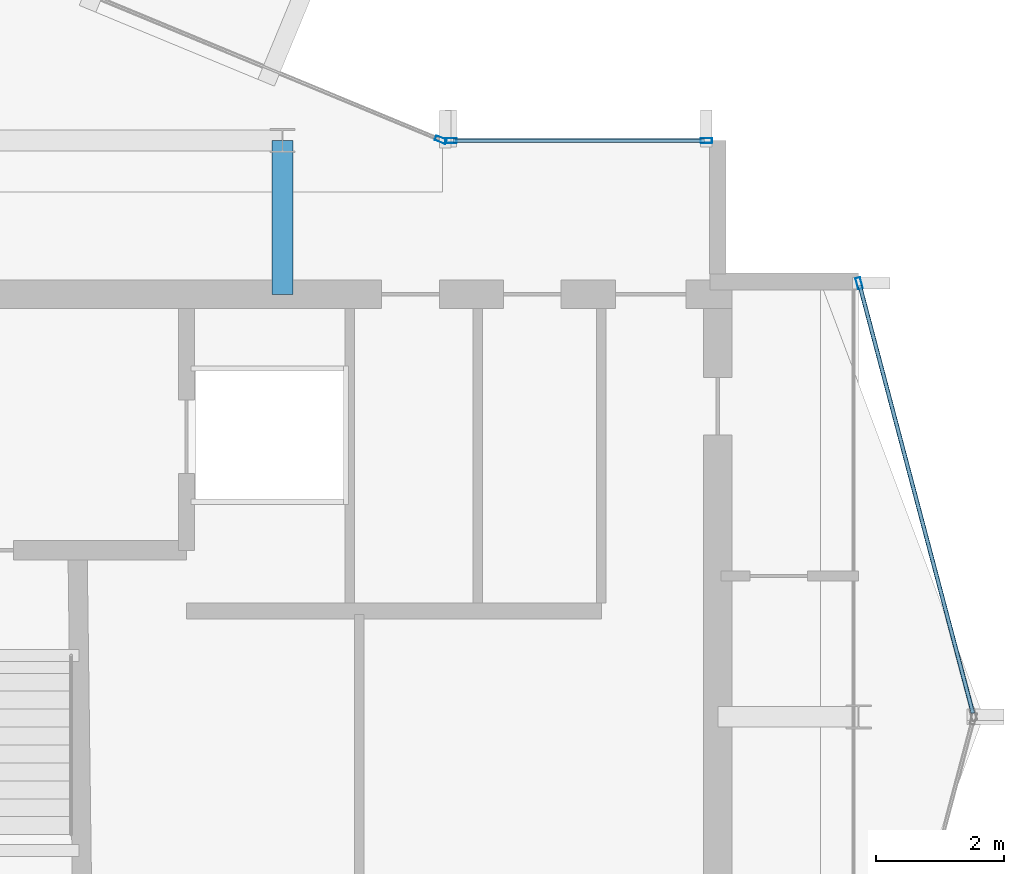
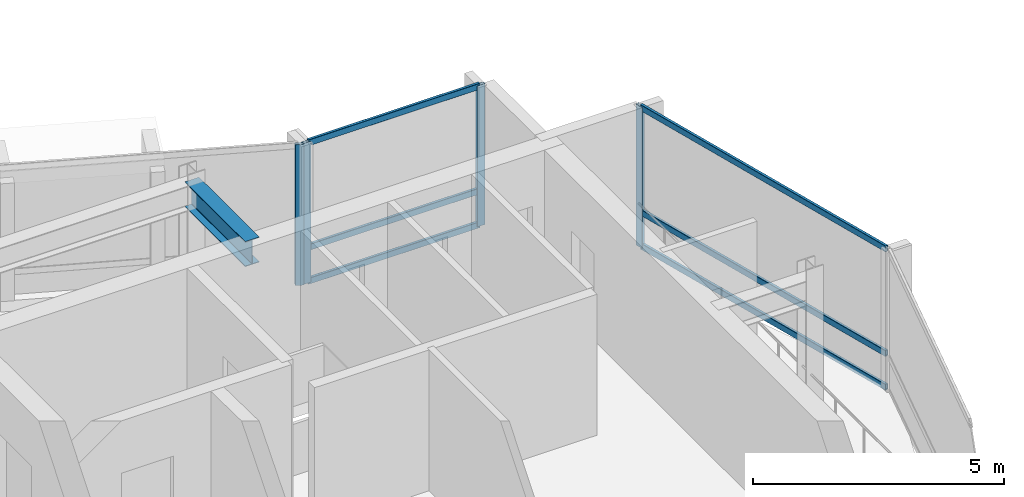
# One storey, part 10 of 19: 10 members, 1 beam, 3 elements without a shape of their own.
"""IFC4 building model written with IfcOpenShell, lengths in metres."""

from ifc_helpers import new_model, si_unit, direction, frame, origin, origin_2d, place, context, subcontext, project, spatial, hollow_rectangle, i_section, extrude, material, layer, layer_set, material_profile, profile_set, type_object, element, aggregate, save


model = new_model("IFC4")

# Units and contexts
model_context = context("Model", 3, precision=1e-05, world=origin(), true_north=direction((0.0, 1.0)))
body_context = subcontext(model_context, "Body", "Model", "MODEL_VIEW")
ifc_project = project(units=[si_unit("LENGTHUNIT", "METRE"), si_unit("AREAUNIT", "SQUARE_METRE"), si_unit("VOLUMEUNIT", "CUBIC_METRE"), si_unit("PLANEANGLEUNIT", "RADIAN"), si_unit("MASSUNIT", "GRAM", prefix="KILO")], contexts=[model_context])

# Site, building, storey
site_placement = place(None, origin())
site = spatial("IfcSite", under=ifc_project, at=site_placement, CompositionType="ELEMENT")
building_placement = place(site_placement, origin())
building = spatial("IfcBuilding", under=site, at=building_placement, Name="Solvaryn Broadcast Tower", CompositionType="ELEMENT")
storey_placement = place(building_placement, frame((0.0, 0.0, 277.800048828125)))
storey = spatial("IfcBuildingStorey", under=building, at=storey_placement, Name="L70", CompositionType="ELEMENT", Elevation=277.800048828125)

# Beam
ifc_material_1 = material(Name="Steel ASTM A992 Grade 50", Category="steel")
ifc_material_profile_1 = material_profile(ifc_material_1, i_section(OverallWidth=0.323974609375, OverallDepth=0.611083984375, WebThickness=0.0126953125, FlangeThickness=0.01904296875, FilletRadius=0.014892578125, at=origin_2d()))
ifc_profile_set_1 = profile_set([ifc_material_profile_1], Name="Steel ASTM A992 Grade 50")
beam_type = type_object("IfcBeamType", Name="BM-B1-W24X104", PredefinedType="BEAM", material=ifc_profile_set_1)
beam_placement = place(storey_placement, frame((36.0, 24.60009765625, 3.114501953125), z_axis=(0.0, 1.0, 0.0), x_axis=(-1.0, 0.0, 0.0)))
element("IfcBeam", 1, at=beam_placement, inside=storey, type_object=beam_type, Name="L70 Core Tie Beam CTE2", PredefinedType="BEAM", context=body_context, shape_type="SweptSolid", body=[
    extrude(i_section(OverallWidth=0.323974609375, OverallDepth=0.611083984375, WebThickness=0.0126953125, FlangeThickness=0.01904296875, FilletRadius=0.014892578125, at=origin_2d()), origin(), (0.0, 0.0, 1.0), 2.39990234375),
])

# Curtain wall, member
ifc_material_2 = material(Name="Aluminium and Terracotta Unitised Curtain Wall", Category="masonry")
ifc_layer = layer(ifc_material_2, 0.199951171875)
ifc_layer_set = layer_set([ifc_layer], Name="CW-SYS2-LOWMID")
curtain_wall_type = type_object("IfcCurtainWallType", Name="CW-SYS2-LOWMID", PredefinedType="NOTDEFINED", material=ifc_layer_set)
curtain_wall_1_placement = place(storey_placement, origin())
curtain_wall_1 = element("IfcCurtainWall", 2, at=curtain_wall_1_placement, inside=storey, type_object=curtain_wall_type, Name="L70 Curtain Wall CN1", PredefinedType="NOTDEFINED")
ifc_material_3 = material(Name="Anodised Aluminium 6063-T6", Category="aluminium")
ifc_material_profile_2 = material_profile(ifc_material_3, hollow_rectangle(XDim=0.074951171875, YDim=0.179931640625, WallThickness=0.00390625, InnerFilletRadius=0.00390625, OuterFilletRadius=0.008056640625, at=origin_2d()))
ifc_profile_set_2 = profile_set([ifc_material_profile_2], Name="Anodised Aluminium 6063-T6")
member_type_1 = type_object("IfcMemberType", Name="CW-MUL-180", PredefinedType="MULLION", material=ifc_profile_set_2)
member_1_placement = place(storey_placement, frame((38.47216796875, 27.011474609375, 0.0), z_axis=(0.0, 0.0, 1.0), x_axis=(-0.382646127145, -0.923894983957, 0.0)))
member_1 = element("IfcMember", 3, at=member_1_placement, type_object=member_type_1, Name="CWS2 mullion 1", PredefinedType="MULLION", context=body_context, shape_type="SweptSolid", body=[
    extrude(hollow_rectangle(XDim=0.074951171875, YDim=0.179931640625, WallThickness=0.00390625, InnerFilletRadius=0.00390625, OuterFilletRadius=0.008056640625, at=origin_2d()), origin(), (0.0, 0.0, 1.0), 3.419921875),
])
aggregate(curtain_wall_1, [member_1])

curtain_wall_2_placement = place(storey_placement, origin())
curtain_wall_2 = element("IfcCurtainWall", 4, at=curtain_wall_2_placement, inside=storey, type_object=curtain_wall_type, Name="L70 Curtain Wall ET1", PredefinedType="NOTDEFINED")
member_2_placement = place(storey_placement, frame((45.007568359375, 24.77099609375, 0.0), z_axis=(0.0, 0.0, 1.0), x_axis=(0.966705227863, 0.25589256031, 0.0)))
member_2 = element("IfcMember", 5, at=member_2_placement, type_object=member_type_1, Name="CWS2 mullion 1", PredefinedType="MULLION", context=body_context, shape_type="SweptSolid", body=[
    extrude(hollow_rectangle(XDim=0.074951171875, YDim=0.179931640625, WallThickness=0.00390625, InnerFilletRadius=0.00390625, OuterFilletRadius=0.008056640625, at=origin_2d()), origin(), (0.0, 0.0, 1.0), 3.419921875),
])

# Curtain wall, members
curtain_wall_3_placement = place(storey_placement, origin())
curtain_wall_3 = element("IfcCurtainWall", 6, at=curtain_wall_3_placement, inside=storey, type_object=curtain_wall_type, Name="L70 Curtain Wall IH", PredefinedType="NOTDEFINED")
member_3_placement = place(storey_placement, frame((38.6298828125, 27.0, 0.0), z_axis=(0.0, 0.0, 1.0), x_axis=(0.0, 1.0, 0.0)))
member_3 = element("IfcMember", 7, at=member_3_placement, type_object=member_type_1, Name="CWS2 mullion 1", PredefinedType="MULLION", context=body_context, shape_type="SweptSolid", body=[
    extrude(hollow_rectangle(XDim=0.074951171875, YDim=0.179931640625, WallThickness=0.00390625, InnerFilletRadius=0.00390625, OuterFilletRadius=0.008056640625, at=origin_2d()), origin(), (0.0, 0.0, 1.0), 3.419921875),
])
member_4_placement = place(storey_placement, frame((42.6201171875, 27.0, 0.0), z_axis=(0.0, 0.0, 1.0), x_axis=(0.0, 1.0, 0.0)))
member_4 = element("IfcMember", 8, at=member_4_placement, type_object=member_type_1, Name="CWS2 mullion 2", PredefinedType="MULLION", context=body_context, shape_type="SweptSolid", body=[
    extrude(hollow_rectangle(XDim=0.074951171875, YDim=0.179931640625, WallThickness=0.00390625, InnerFilletRadius=0.00390625, OuterFilletRadius=0.008056640625, at=origin_2d()), origin(), (0.0, 0.0, 1.0), 3.419921875),
])

# Member
ifc_material_4 = material(Name="Anodised Aluminium 6063-T6", Category="aluminium")
ifc_material_profile_3 = material_profile(ifc_material_4, hollow_rectangle(XDim=0.06494140625, YDim=0.14990234375, WallThickness=0.00390625, InnerFilletRadius=0.00390625, OuterFilletRadius=0.008056640625, at=origin_2d()))
ifc_profile_set_3 = profile_set([ifc_material_profile_3], Name="Anodised Aluminium 6063-T6")
member_type_2 = type_object("IfcMemberType", Name="CW-TRN-150", PredefinedType="USERDEFINED", material=ifc_profile_set_3)
member_5_placement = place(storey_placement, frame((45.015380859375, 24.741943359375, 0.030029296875), z_axis=(0.255897413051, -0.966703943301, 0.0), x_axis=(0.966703943301, 0.255897413051, 0.0)))
member_5 = element("IfcMember", 9, at=member_5_placement, type_object=member_type_2, Name="CWS2 transom 1.1", ObjectType="TRANSOM", PredefinedType="USERDEFINED", context=body_context, shape_type="SweptSolid", body=[
    extrude(hollow_rectangle(XDim=0.06494140625, YDim=0.14990234375, WallThickness=0.00390625, InnerFilletRadius=0.00390625, OuterFilletRadius=0.008056640625, at=origin_2d()), origin(), (0.0, 0.0, 1.0), 6.9140625),
])

member_6_placement = place(storey_placement, frame((45.015380859375, 24.741943359375, 0.849853515625), z_axis=(0.255897413051, -0.966703943301, 0.0), x_axis=(0.966703943301, 0.255897413051, 0.0)))
member_6 = element("IfcMember", 10, at=member_6_placement, type_object=member_type_2, Name="CWS2 transom 1.2", ObjectType="TRANSOM", PredefinedType="USERDEFINED", context=body_context, shape_type="SweptSolid", body=[
    extrude(hollow_rectangle(XDim=0.06494140625, YDim=0.14990234375, WallThickness=0.00390625, InnerFilletRadius=0.00390625, OuterFilletRadius=0.008056640625, at=origin_2d()), origin(), (0.0, 0.0, 1.0), 6.9140625),
])

member_7_placement = place(storey_placement, frame((45.015380859375, 24.741943359375, 3.389892578125), z_axis=(0.255897413051, -0.966703943301, 0.0), x_axis=(0.966703943301, 0.255897413051, 0.0)))
member_7 = element("IfcMember", 11, at=member_7_placement, type_object=member_type_2, Name="CWS2 transom 1.3", ObjectType="TRANSOM", PredefinedType="USERDEFINED", context=body_context, shape_type="SweptSolid", body=[
    extrude(hollow_rectangle(XDim=0.06494140625, YDim=0.14990234375, WallThickness=0.00390625, InnerFilletRadius=0.00390625, OuterFilletRadius=0.008056640625, at=origin_2d()), origin(), (0.0, 0.0, 1.0), 6.9140625),
])

aggregate(curtain_wall_2, [member_2, member_5, member_6, member_7])

member_8_placement = place(storey_placement, frame((38.659912109375, 27.0, 0.030029296875), z_axis=(1.0, 0.0, 0.0), x_axis=(0.0, 1.0, 0.0)))
member_8 = element("IfcMember", 12, at=member_8_placement, type_object=member_type_2, Name="CWS2 transom 1.1", ObjectType="TRANSOM", PredefinedType="USERDEFINED", context=body_context, shape_type="SweptSolid", body=[
    extrude(hollow_rectangle(XDim=0.06494140625, YDim=0.14990234375, WallThickness=0.00390625, InnerFilletRadius=0.00390625, OuterFilletRadius=0.008056640625, at=origin_2d()), origin(), (0.0, 0.0, 1.0), 3.93017578125),
])

member_9_placement = place(storey_placement, frame((38.659912109375, 27.0, 0.849853515625), z_axis=(1.0, 0.0, 0.0), x_axis=(0.0, 1.0, 0.0)))
member_9 = element("IfcMember", 13, at=member_9_placement, type_object=member_type_2, Name="CWS2 transom 1.2", ObjectType="TRANSOM", PredefinedType="USERDEFINED", context=body_context, shape_type="SweptSolid", body=[
    extrude(hollow_rectangle(XDim=0.06494140625, YDim=0.14990234375, WallThickness=0.00390625, InnerFilletRadius=0.00390625, OuterFilletRadius=0.008056640625, at=origin_2d()), origin(), (0.0, 0.0, 1.0), 3.93017578125),
])

member_10_placement = place(storey_placement, frame((38.659912109375, 27.0, 3.389892578125), z_axis=(1.0, 0.0, 0.0), x_axis=(0.0, 1.0, 0.0)))
member_10 = element("IfcMember", 14, at=member_10_placement, type_object=member_type_2, Name="CWS2 transom 1.3", ObjectType="TRANSOM", PredefinedType="USERDEFINED", context=body_context, shape_type="SweptSolid", body=[
    extrude(hollow_rectangle(XDim=0.06494140625, YDim=0.14990234375, WallThickness=0.00390625, InnerFilletRadius=0.00390625, OuterFilletRadius=0.008056640625, at=origin_2d()), origin(), (0.0, 0.0, 1.0), 3.93017578125),
])

aggregate(curtain_wall_3, [member_3, member_4, member_8, member_9, member_10])

save(model, "model.ifc")
